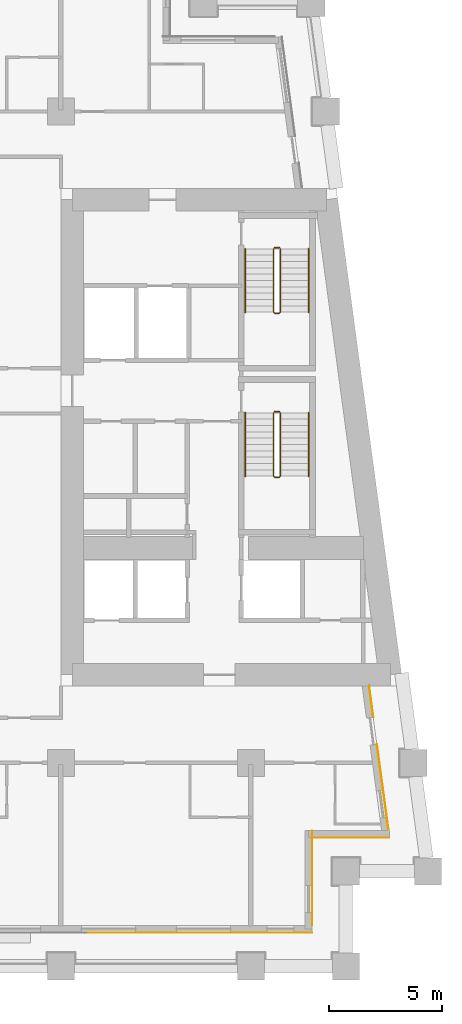
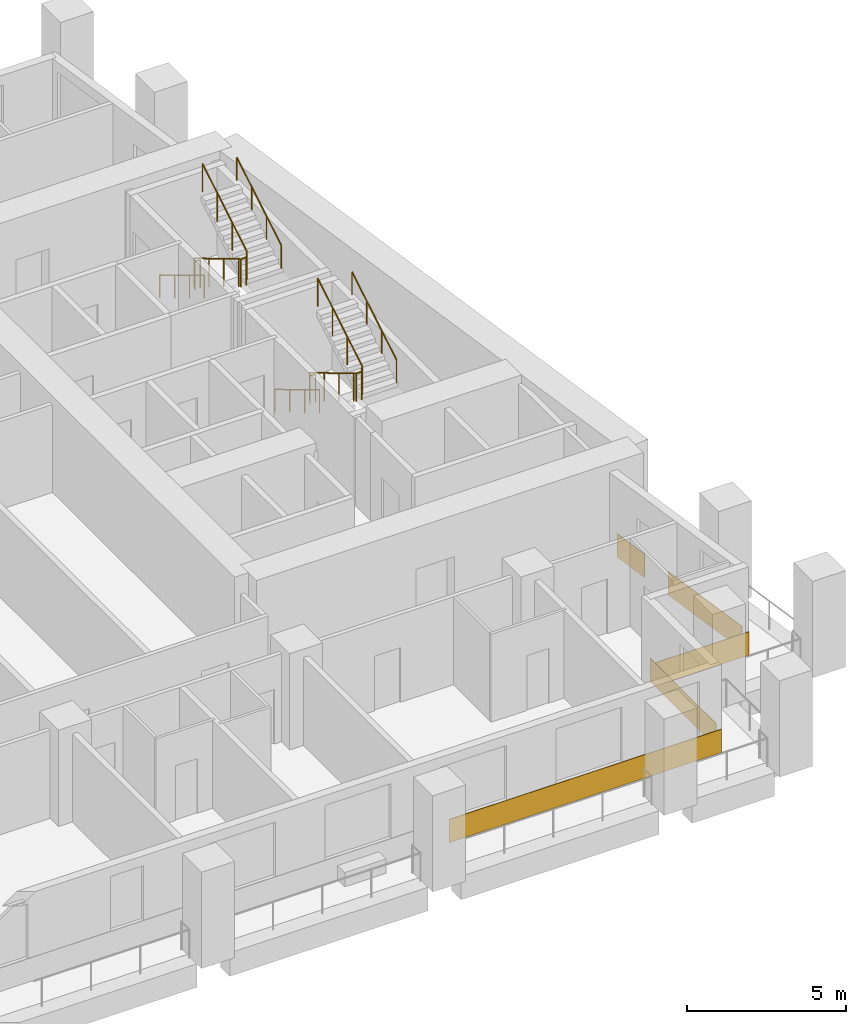
# One storey, part 11 of 13: 8 railings, 5 coverings.
"""IFC4 building model written with IfcOpenShell, lengths in metres."""

from ifc_helpers import new_model, si_unit, direction, frame, origin, origin_2d, place, context, subcontext, project, spatial, rectangle, circle, extrude, material, layer, layer_set, type_object, element, save


model = new_model("IFC4")

# Units and contexts
model_context = context("Model", 3, precision=1e-05, world=origin(), true_north=direction((0.0, 1.0)))
body_context = subcontext(model_context, "Body", "Model", "MODEL_VIEW")
ifc_project = project(units=[si_unit("LENGTHUNIT", "METRE"), si_unit("AREAUNIT", "SQUARE_METRE"), si_unit("VOLUMEUNIT", "CUBIC_METRE"), si_unit("PLANEANGLEUNIT", "RADIAN"), si_unit("MASSUNIT", "GRAM", prefix="KILO")], contexts=[model_context])

# Site, building, storey
site_placement = place(None, origin())
site = spatial("IfcSite", under=ifc_project, at=site_placement, CompositionType="ELEMENT")
building_placement = place(site_placement, origin())
building = spatial("IfcBuilding", under=site, at=building_placement, Name="Candeia Pilgrim Tower and Theatre", CompositionType="ELEMENT")
storey_placement = place(building_placement, frame((0.0, 0.0, 102.10009765625)))
storey = spatial("IfcBuildingStorey", under=building, at=storey_placement, Name="L23", CompositionType="ELEMENT", Elevation=102.10009765625)

# Coverings
ifc_material_1 = material(Name="Glazed ceramic tile red")
ifc_layer = layer(ifc_material_1, 0.02001953125)
ifc_layer_set = layer_set([ifc_layer], Name="Glazed ceramic tile red")
covering_type = type_object("IfcCoveringType", Name="Glazed ceramic tile red", PredefinedType="CLADDING", material=ifc_layer_set)
covering_1_placement = place(storey_placement, frame((132.14990234375, 99.489990234375, 0.0), z_axis=(0.0, 0.0, 1.0), x_axis=(1.0, 0.0, 0.0)))
element("IfcCovering", 1, at=covering_1_placement, inside=storey, type_object=covering_type, Name="Tile cladding red L23", PredefinedType="CLADDING", context=body_context, shape_type="SweptSolid", body=[
    extrude(rectangle(XDim=9.89990234375, YDim=0.02001953125, at=origin_2d()), origin(), (0.0, 0.0, 1.0), 0.89990234375),
])
covering_2_placement = place(storey_placement, frame((137.110107421875, 101.909912109375, 0.0), z_axis=(0.0, 0.0, 1.0), x_axis=(0.0, 1.0, 0.0)))
element("IfcCovering", 2, at=covering_2_placement, inside=storey, type_object=covering_type, Name="Tile cladding red L23", PredefinedType="CLADDING", context=body_context, shape_type="SweptSolid", body=[
    extrude(rectangle(XDim=4.179931640625, YDim=0.02001953125, at=origin_2d()), origin(), (0.0, 0.0, 1.0), 0.89990234375),
])
covering_3_placement = place(storey_placement, frame((138.819580078125, 103.68994140625, 0.0), z_axis=(0.0, 0.0, 1.0), x_axis=(1.0, 0.0, 0.0)))
element("IfcCovering", 3, at=covering_3_placement, inside=storey, type_object=covering_type, Name="Tile cladding red L23", PredefinedType="CLADDING", context=body_context, shape_type="SweptSolid", body=[
    extrude(rectangle(XDim=3.399169921875, YDim=0.02001953125, at=origin_2d()), origin(), (0.0, 0.0, 1.0), 0.89990234375),
])
covering_4_placement = place(storey_placement, frame((140.228515625, 105.933349609375, 0.0), z_axis=(0.0, 0.0, 1.0), x_axis=(-0.133412012145, 0.991060661622, 0.0)))
element("IfcCovering", 4, at=covering_4_placement, inside=storey, type_object=covering_type, Name="Tile cladding red L23", PredefinedType="CLADDING", context=body_context, shape_type="SweptSolid", body=[
    extrude(rectangle(XDim=3.821044921875, YDim=0.02001953125, at=origin_2d()), origin(), (0.0, 0.0, 1.0), 0.89990234375),
])
covering_5_placement = place(storey_placement, frame((139.718994140625, 109.71875, 0.0), z_axis=(0.0, 0.0, 1.0), x_axis=(-0.133412012145, 0.991060661622, 0.0)))
element("IfcCovering", 5, at=covering_5_placement, inside=storey, type_object=covering_type, Name="Tile cladding red L23", PredefinedType="CLADDING", context=body_context, shape_type="SweptSolid", body=[
    extrude(rectangle(XDim=1.41796875, YDim=0.02001953125, at=origin_2d()), origin(), (0.0, 0.0, 1.0), 0.89990234375),
])

# Railings
ifc_material_2 = material(Name="Stainless steel balustrade", Category="steel")
railing_type_1 = type_object("IfcRailingType", Name="RL-GUARD-1100", PredefinedType="GUARDRAIL", material=ifc_material_2)
railing_1_placement = place(storey_placement, frame((135.39794921875, 122.47509765625, 0.16796875)))
element("IfcRailing", 6, at=railing_1_placement, inside=storey, type_object=railing_type_1, Name="L23 ST3 stair guard 1", PredefinedType="GUARDRAIL", context=body_context, shape_type="SweptSolid", body=[
    extrude(circle(Radius=0.02392578125, at=origin_2d()), frame((0.0, 0.0, 1.076171875), z_axis=(0.0, -0.857242210791, 0.514913383045), x_axis=(1.0, 0.0, 0.0)), (0.0, 0.0, 1.0), 3.266357421875),
    extrude(circle(Radius=0.02392578125, at=origin_2d()), frame((0.0, -2.800048828125, 2.7578125), z_axis=(0.707106781187, -0.707106781187, 0.0), x_axis=(0.707106781187, 0.707106781187, 0.0)), (0.0, 0.0, 1.0), 0.07080078125),
    extrude(circle(Radius=0.02392578125, at=origin_2d()), frame((0.050048828125, -2.85009765625, 2.7578125), z_axis=(1.0, 0.0, 0.0), x_axis=(0.0, 1.0, 0.0)), (0.0, 0.0, 1.0), 0.199951171875),
    extrude(circle(Radius=0.02392578125, at=origin_2d()), frame((0.25, -2.85009765625, 2.7578125), z_axis=(0.274243871929, 0.274243871929, 0.92172696468), x_axis=(-0.707106781187, 0.707106781187, 0.0)), (0.0, 0.0, 1.0), 0.1826171875),
    extrude(circle(Radius=0.02392578125, at=origin_2d()), frame((0.300048828125, -2.800048828125, 2.92626953125), z_axis=(0.0, 0.857242210791, 0.514913383045), x_axis=(-1.0, 0.0, 0.0)), (0.0, 0.0, 1.0), 3.266357421875),
    extrude(circle(Radius=0.02099609375, at=origin_2d()), origin(), (0.0, 0.0, 1.0), 1.052001953125),
    extrude(circle(Radius=0.02099609375, at=origin_2d()), frame((0.0, -0.933349609375, 0.560546875)), (0.0, 0.0, 1.0), 1.052001953125),
    extrude(circle(Radius=0.02099609375, at=origin_2d()), frame((0.0, -1.86669921875, 1.121337890625)), (0.0, 0.0, 1.0), 1.052001953125),
    extrude(circle(Radius=0.02099609375, at=origin_2d()), frame((0.0, -2.800048828125, 1.681884765625)), (0.0, 0.0, 1.0), 1.052001953125),
    extrude(circle(Radius=0.02099609375, at=origin_2d()), frame((0.050048828125, -2.85009765625, 1.681884765625)), (0.0, 0.0, 1.0), 1.052001953125),
    extrude(circle(Radius=0.02099609375, at=origin_2d()), frame((0.25, -2.85009765625, 1.681884765625)), (0.0, 0.0, 1.0), 1.052001953125),
    extrude(circle(Radius=0.02099609375, at=origin_2d()), frame((0.300048828125, -2.800048828125, 1.85009765625)), (0.0, 0.0, 1.0), 1.052001953125),
    extrude(circle(Radius=0.02099609375, at=origin_2d()), frame((0.300048828125, -1.86669921875, 2.41064453125)), (0.0, 0.0, 1.0), 1.052001953125),
    extrude(circle(Radius=0.02099609375, at=origin_2d()), frame((0.300048828125, -0.933349609375, 2.971435546875)), (0.0, 0.0, 1.0), 1.052001953125),
    extrude(circle(Radius=0.02099609375, at=origin_2d()), frame((0.300048828125, 0.0, 3.531982421875)), (0.0, 0.0, 1.0), 1.052001953125),
])
railing_2_placement = place(storey_placement, frame((135.447998046875, 122.52490234375, 0.0)))
element("IfcRailing", 7, at=railing_2_placement, inside=storey, type_object=railing_type_1, Name="L23 ST3 stair guard 2", PredefinedType="GUARDRAIL", context=body_context, shape_type="SweptSolid", body=[
    extrude(circle(Radius=0.02392578125, at=origin_2d()), frame((0.0, 0.0, 1.076171875), z_axis=(1.0, 0.0, 0.0), x_axis=(0.0, 1.0, 0.0)), (0.0, 0.0, 1.0), 0.199951171875),
    extrude(circle(Radius=0.02099609375, at=origin_2d()), origin(), (0.0, 0.0, 1.0), 1.052001953125),
    extrude(circle(Radius=0.02099609375, at=origin_2d()), frame((0.199951171875, 0.0, 0.0)), (0.0, 0.0, 1.0), 1.052001953125),
])
railing_3_placement = place(storey_placement, frame((135.39794921875, 129.72509765625, 0.16796875)))
element("IfcRailing", 8, at=railing_3_placement, inside=storey, type_object=railing_type_1, Name="L23 ST4 stair guard 1", PredefinedType="GUARDRAIL", context=body_context, shape_type="SweptSolid", body=[
    extrude(circle(Radius=0.02392578125, at=origin_2d()), frame((0.0, 0.0, 1.076171875), z_axis=(0.0, -0.857242210791, 0.514913383045), x_axis=(1.0, 0.0, 0.0)), (0.0, 0.0, 1.0), 3.266357421875),
    extrude(circle(Radius=0.02392578125, at=origin_2d()), frame((0.0, -2.800048828125, 2.7578125), z_axis=(0.707106781187, -0.707106781187, 0.0), x_axis=(0.707106781187, 0.707106781187, 0.0)), (0.0, 0.0, 1.0), 0.07080078125),
    extrude(circle(Radius=0.02392578125, at=origin_2d()), frame((0.050048828125, -2.85009765625, 2.7578125), z_axis=(1.0, 0.0, 0.0), x_axis=(0.0, 1.0, 0.0)), (0.0, 0.0, 1.0), 0.199951171875),
    extrude(circle(Radius=0.02392578125, at=origin_2d()), frame((0.25, -2.85009765625, 2.7578125), z_axis=(0.274243871929, 0.274243871929, 0.92172696468), x_axis=(-0.707106781187, 0.707106781187, 0.0)), (0.0, 0.0, 1.0), 0.1826171875),
    extrude(circle(Radius=0.02392578125, at=origin_2d()), frame((0.300048828125, -2.800048828125, 2.92626953125), z_axis=(0.0, 0.857242210791, 0.514913383045), x_axis=(-1.0, 0.0, 0.0)), (0.0, 0.0, 1.0), 3.266357421875),
    extrude(circle(Radius=0.02099609375, at=origin_2d()), origin(), (0.0, 0.0, 1.0), 1.052001953125),
    extrude(circle(Radius=0.02099609375, at=origin_2d()), frame((0.0, -0.933349609375, 0.560546875)), (0.0, 0.0, 1.0), 1.052001953125),
    extrude(circle(Radius=0.02099609375, at=origin_2d()), frame((0.0, -1.86669921875, 1.121337890625)), (0.0, 0.0, 1.0), 1.052001953125),
    extrude(circle(Radius=0.02099609375, at=origin_2d()), frame((0.0, -2.800048828125, 1.681884765625)), (0.0, 0.0, 1.0), 1.052001953125),
    extrude(circle(Radius=0.02099609375, at=origin_2d()), frame((0.050048828125, -2.85009765625, 1.681884765625)), (0.0, 0.0, 1.0), 1.052001953125),
    extrude(circle(Radius=0.02099609375, at=origin_2d()), frame((0.25, -2.85009765625, 1.681884765625)), (0.0, 0.0, 1.0), 1.052001953125),
    extrude(circle(Radius=0.02099609375, at=origin_2d()), frame((0.300048828125, -2.800048828125, 1.85009765625)), (0.0, 0.0, 1.0), 1.052001953125),
    extrude(circle(Radius=0.02099609375, at=origin_2d()), frame((0.300048828125, -1.86669921875, 2.41064453125)), (0.0, 0.0, 1.0), 1.052001953125),
    extrude(circle(Radius=0.02099609375, at=origin_2d()), frame((0.300048828125, -0.933349609375, 2.971435546875)), (0.0, 0.0, 1.0), 1.052001953125),
    extrude(circle(Radius=0.02099609375, at=origin_2d()), frame((0.300048828125, 0.0, 3.531982421875)), (0.0, 0.0, 1.0), 1.052001953125),
])
railing_4_placement = place(storey_placement, frame((135.447998046875, 129.77490234375, 0.0)))
element("IfcRailing", 9, at=railing_4_placement, inside=storey, type_object=railing_type_1, Name="L23 ST4 stair guard 2", PredefinedType="GUARDRAIL", context=body_context, shape_type="SweptSolid", body=[
    extrude(circle(Radius=0.02392578125, at=origin_2d()), frame((0.0, 0.0, 1.076171875), z_axis=(1.0, 0.0, 0.0), x_axis=(0.0, 1.0, 0.0)), (0.0, 0.0, 1.0), 0.199951171875),
    extrude(circle(Radius=0.02099609375, at=origin_2d()), origin(), (0.0, 0.0, 1.0), 1.052001953125),
    extrude(circle(Radius=0.02099609375, at=origin_2d()), frame((0.199951171875, 0.0, 0.0)), (0.0, 0.0, 1.0), 1.052001953125),
])
ifc_material_3 = material(Name="Stainless steel handrail", Category="steel")
railing_type_2 = type_object("IfcRailingType", Name="RL-HANDRAIL-900", PredefinedType="HANDRAIL", material=ifc_material_3)
railing_5_placement = place(storey_placement, frame((134.14794921875, 122.47509765625, 0.16796875)))
element("IfcRailing", 10, at=railing_5_placement, inside=storey, type_object=railing_type_2, Name="L23 ST3 stair handrail 1", PredefinedType="HANDRAIL", context=body_context, shape_type="SweptSolid", body=[
    extrude(circle(Radius=0.02392578125, at=origin_2d()), frame((0.0, 0.0, 0.8759765625), z_axis=(0.0, -0.857242210791, 0.514913383045), x_axis=(1.0, 0.0, 0.0)), (0.0, 0.0, 1.0), 3.266357421875),
    extrude(circle(Radius=0.02099609375, at=origin_2d()), origin(), (0.0, 0.0, 1.0), 0.851806640625),
    extrude(circle(Radius=0.02099609375, at=origin_2d()), frame((0.0, -0.933349609375, 0.560546875)), (0.0, 0.0, 1.0), 0.851806640625),
    extrude(circle(Radius=0.02099609375, at=origin_2d()), frame((0.0, -1.86669921875, 1.121337890625)), (0.0, 0.0, 1.0), 0.851806640625),
    extrude(circle(Radius=0.02099609375, at=origin_2d()), frame((0.0, -2.800048828125, 1.681884765625)), (0.0, 0.0, 1.0), 0.851806640625),
])
railing_6_placement = place(storey_placement, frame((136.947998046875, 119.675048828125, 2.01806640625)))
element("IfcRailing", 11, at=railing_6_placement, inside=storey, type_object=railing_type_2, Name="L23 ST3 stair handrail 2", PredefinedType="HANDRAIL", context=body_context, shape_type="SweptSolid", body=[
    extrude(circle(Radius=0.02392578125, at=origin_2d()), frame((0.0, 0.0, 0.8759765625), z_axis=(0.0, 0.857242210791, 0.514913383045), x_axis=(-1.0, 0.0, 0.0)), (0.0, 0.0, 1.0), 3.266357421875),
    extrude(circle(Radius=0.02099609375, at=origin_2d()), origin(), (0.0, 0.0, 1.0), 0.851806640625),
    extrude(circle(Radius=0.02099609375, at=origin_2d()), frame((0.0, 0.933349609375, 0.560546875)), (0.0, 0.0, 1.0), 0.851806640625),
    extrude(circle(Radius=0.02099609375, at=origin_2d()), frame((0.0, 1.86669921875, 1.121337890625)), (0.0, 0.0, 1.0), 0.851806640625),
    extrude(circle(Radius=0.02099609375, at=origin_2d()), frame((0.0, 2.800048828125, 1.681884765625)), (0.0, 0.0, 1.0), 0.851806640625),
])
railing_7_placement = place(storey_placement, frame((134.14794921875, 129.72509765625, 0.16796875)))
element("IfcRailing", 12, at=railing_7_placement, inside=storey, type_object=railing_type_2, Name="L23 ST4 stair handrail 1", PredefinedType="HANDRAIL", context=body_context, shape_type="SweptSolid", body=[
    extrude(circle(Radius=0.02392578125, at=origin_2d()), frame((0.0, 0.0, 0.8759765625), z_axis=(0.0, -0.857242210791, 0.514913383045), x_axis=(1.0, 0.0, 0.0)), (0.0, 0.0, 1.0), 3.266357421875),
    extrude(circle(Radius=0.02099609375, at=origin_2d()), origin(), (0.0, 0.0, 1.0), 0.851806640625),
    extrude(circle(Radius=0.02099609375, at=origin_2d()), frame((0.0, -0.933349609375, 0.560546875)), (0.0, 0.0, 1.0), 0.851806640625),
    extrude(circle(Radius=0.02099609375, at=origin_2d()), frame((0.0, -1.86669921875, 1.121337890625)), (0.0, 0.0, 1.0), 0.851806640625),
    extrude(circle(Radius=0.02099609375, at=origin_2d()), frame((0.0, -2.800048828125, 1.681884765625)), (0.0, 0.0, 1.0), 0.851806640625),
])
railing_8_placement = place(storey_placement, frame((136.947998046875, 126.925048828125, 2.01806640625)))
element("IfcRailing", 13, at=railing_8_placement, inside=storey, type_object=railing_type_2, Name="L23 ST4 stair handrail 2", PredefinedType="HANDRAIL", context=body_context, shape_type="SweptSolid", body=[
    extrude(circle(Radius=0.02392578125, at=origin_2d()), frame((0.0, 0.0, 0.8759765625), z_axis=(0.0, 0.857242210791, 0.514913383045), x_axis=(-1.0, 0.0, 0.0)), (0.0, 0.0, 1.0), 3.266357421875),
    extrude(circle(Radius=0.02099609375, at=origin_2d()), origin(), (0.0, 0.0, 1.0), 0.851806640625),
    extrude(circle(Radius=0.02099609375, at=origin_2d()), frame((0.0, 0.933349609375, 0.560546875)), (0.0, 0.0, 1.0), 0.851806640625),
    extrude(circle(Radius=0.02099609375, at=origin_2d()), frame((0.0, 1.86669921875, 1.121337890625)), (0.0, 0.0, 1.0), 0.851806640625),
    extrude(circle(Radius=0.02099609375, at=origin_2d()), frame((0.0, 2.800048828125, 1.681884765625)), (0.0, 0.0, 1.0), 0.851806640625),
])

save(model, "model.ifc")
